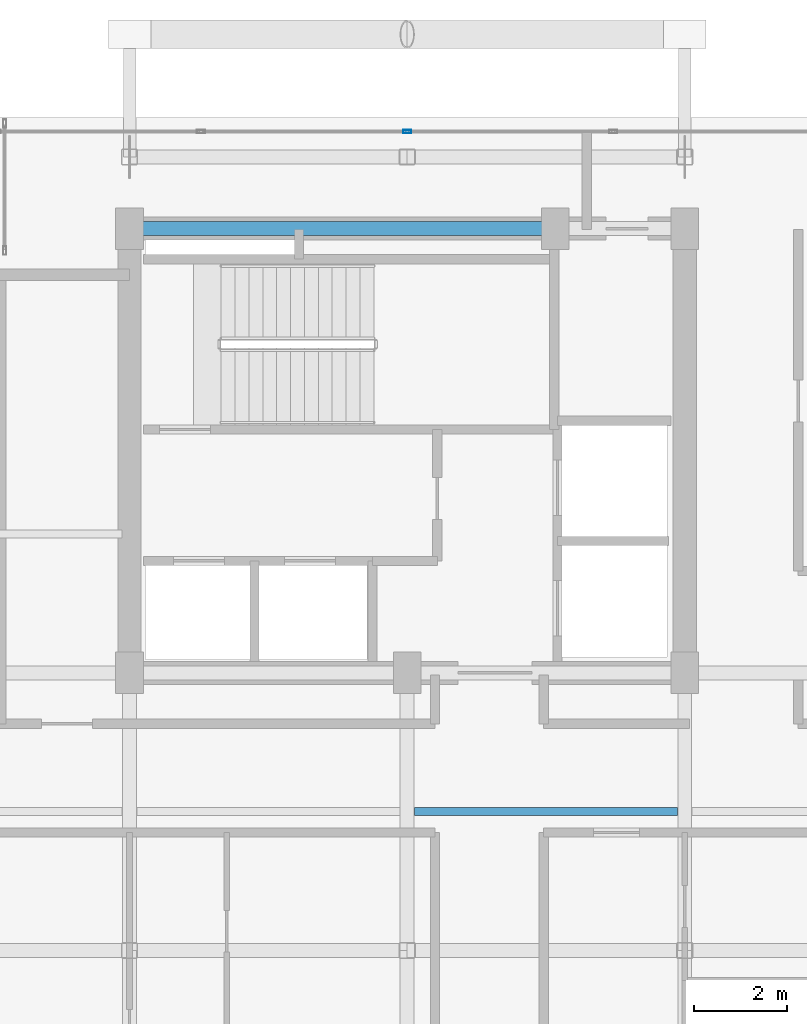
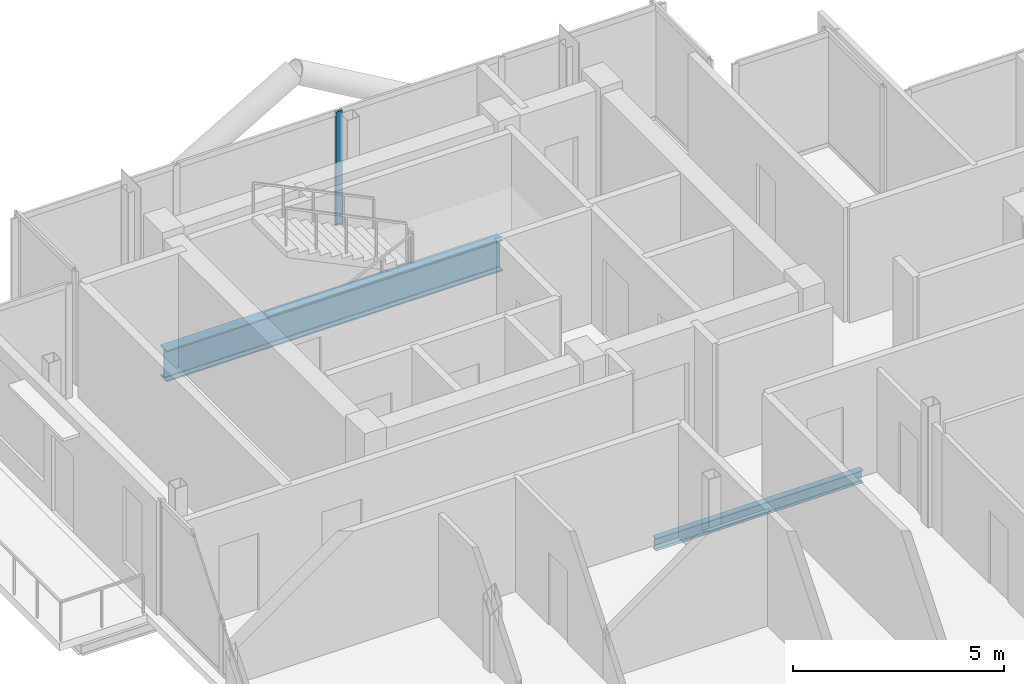
# One storey, part 9 of 19: 2 beams, 1 member, 1 element without a shape of its own.
"""IFC4 building model written with IfcOpenShell, lengths in metres."""

import ifcopenshell
import ifcopenshell.guid

model = None  # the IFC model being written
_history = None  # IfcOwnerHistory: only IFC2X3 demands one
_inside = {}  # id of a spatial element -> (the spatial element, [elements in it])
_under = {}  # id of a project, library or spatial element -> (it, [spatial elements below it])
_declared = {}  # id of a project -> (the project, [libraries it declares])
_typed = {}  # id of a type object -> (the type object, [elements of that type])
_made_of = {}  # id of a material, layer set ... -> (it, [elements and type objects made of it])


def new_model(schema):
    """Start an empty IFC model of exactly this schema.

    Asked for "IFC4X3", IfcOpenShell would pick the latest addendum, in which some entities
    have other attributes; the version numbers below select the first issue.
    IFC2X3 requires an IfcOwnerHistory on every rooted entity: one is made here for all.
    """
    global model, _history
    if schema == "IFC4X3":
        model = ifcopenshell.file(schema_version=(4, 3, 0, 0))
    else:
        model = ifcopenshell.file(schema=schema)
    _inside.clear()
    _under.clear()
    _declared.clear()
    _typed.clear()
    _made_of.clear()
    _history = None
    if model.schema == "IFC2X3":
        org = make("IfcOrganization", Name="unknown")
        user = make(
            "IfcPersonAndOrganization",
            ThePerson=make("IfcPerson", FamilyName="unknown"),
            TheOrganization=org,
        )
        app = make(
            "IfcApplication",
            ApplicationDeveloper=org,
            Version="unknown",
            ApplicationFullName="unknown",
            ApplicationIdentifier="unknown",
        )
        _history = make(
            "IfcOwnerHistory",
            OwningUser=user,
            OwningApplication=app,
            ChangeAction="ADDED",
            CreationDate=0,
        )
    return model


def make(cls, **values):
    """One entity of the class cls with the attributes given. An attribute that is None is left unset."""
    return model.create_entity(
        cls, **{name: value for name, value in values.items() if value is not None}
    )


def rooted(cls, **values):
    """An entity with a GlobalId (a new one), such as an element, a storey or a relation."""
    return make(cls, GlobalId=ifcopenshell.guid.new(), OwnerHistory=_history, **values)


def si_unit(unit_type, name, prefix=None):
    """IfcSIUnit, for example si_unit("LENGTHUNIT", "METRE", prefix="MILLI")."""
    return make("IfcSIUnit", UnitType=unit_type, Prefix=prefix, Name=name)


def assignment(units):
    """IfcUnitAssignment: the units of a project."""
    return None if units is None else make("IfcUnitAssignment", Units=units)


def point(xyz):
    """IfcCartesianPoint."""
    return None if xyz is None else make("IfcCartesianPoint", Coordinates=xyz)


def direction(xyz):
    """IfcDirection."""
    return None if xyz is None else make("IfcDirection", DirectionRatios=xyz)


def frame(location, z_axis=None, x_axis=None):
    """IfcAxis2Placement3D, a coordinate frame: its origin and axes. An axis left out is left unset."""
    return make(
        "IfcAxis2Placement3D",
        Location=point(location),
        Axis=direction(z_axis),
        RefDirection=direction(x_axis),
    )


def frame_2d(location, x_axis=None):
    """IfcAxis2Placement2D, a coordinate frame in the plane: its origin and x axis."""
    return make(
        "IfcAxis2Placement2D", Location=point(location), RefDirection=direction(x_axis)
    )


def origin():
    """The frame at (0, 0, 0) with its axes left unset."""
    return frame((0.0, 0.0, 0.0))


def origin_2d():
    """The frame at (0, 0) in the plane with its x axis left unset."""
    return frame_2d((0.0, 0.0))


def place(relative_to, where):
    """IfcLocalPlacement: puts the frame where relative to a parent placement (None: the world)."""
    return make(
        "IfcLocalPlacement", PlacementRelTo=relative_to, RelativePlacement=where
    )


def context(
    kind, dimensions, precision=None, world=None, true_north=None, identifier=None
):
    """IfcGeometricRepresentationContext, for example the 3D "Model" context."""
    return make(
        "IfcGeometricRepresentationContext",
        ContextIdentifier=identifier,
        ContextType=kind,
        CoordinateSpaceDimension=dimensions,
        Precision=precision,
        WorldCoordinateSystem=world,
        TrueNorth=true_north,
    )


def subcontext(parent, identifier, kind, view, scale=None):
    """IfcGeometricRepresentationSubContext, for example "Body" below "Model"."""
    return make(
        "IfcGeometricRepresentationSubContext",
        ContextIdentifier=identifier,
        ContextType=kind,
        ParentContext=parent,
        TargetScale=scale,
        TargetView=view,
    )


def project(units=None, contexts=None):
    """IfcProject with its units and contexts."""
    return rooted(
        "IfcProject",
        Name="project",
        RepresentationContexts=contexts,
        UnitsInContext=assignment(units),
    )


def spatial(cls, under=None, at=None, **own):
    """A site, building, storey or space (cls), placed at a placement, below another one or the project."""
    s = rooted(cls, ObjectPlacement=at, **own)
    if under is not None:
        _under.setdefault(under.id(), (under, []))[1].append(s)
    return s


def profile(cls, at=None, kind="AREA", **sizes):
    """A parametric profile (cls). Its sizes go by their IFC names, for example OverallWidth=200.0."""
    return make(cls, ProfileType=kind, Position=at, **sizes)


def hollow_rectangle(**sizes):
    """IfcRectangleHollowProfileDef."""
    return profile("IfcRectangleHollowProfileDef", **sizes)


def i_section(**sizes):
    """IfcIShapeProfileDef."""
    return profile("IfcIShapeProfileDef", **sizes)


def extrude(swept, where, along, depth):
    """IfcExtrudedAreaSolid: the profile swept, set in the frame where, extruded along a direction by depth."""
    return make(
        "IfcExtrudedAreaSolid",
        SweptArea=swept,
        Position=where,
        ExtrudedDirection=direction(along),
        Depth=depth,
    )


def shape(context_of_items, identifier, shape_type, items):
    """IfcShapeRepresentation: the items that make up one representation, for example the "Body"."""
    return make(
        "IfcShapeRepresentation",
        ContextOfItems=context_of_items,
        RepresentationIdentifier=identifier,
        RepresentationType=shape_type,
        Items=items,
    )


def material(Name=None, Category=None):
    """IfcMaterial."""
    return make("IfcMaterial", Name=Name, Category=Category)


def layer(
    of_material, thickness, ventilated=None, Name=None, Category=None, Priority=None
):
    """IfcMaterialLayer: one layer of a wall or slab, of a material (None: an air gap)."""
    return make(
        "IfcMaterialLayer",
        Material=of_material,
        LayerThickness=thickness,
        IsVentilated=ventilated,
        Name=Name,
        Category=Category,
        Priority=Priority,
    )


def layer_set(layers, Name=None):
    """IfcMaterialLayerSet."""
    return make("IfcMaterialLayerSet", MaterialLayers=layers, LayerSetName=Name)


def material_profile(
    of_material, cross_section, Name=None, Category=None, Priority=None
):
    """IfcMaterialProfile: a cross section and its material."""
    return make(
        "IfcMaterialProfile",
        Name=Name,
        Material=of_material,
        Profile=cross_section,
        Priority=Priority,
        Category=Category,
    )


def profile_set(profiles, Name=None, composite=None):
    """IfcMaterialProfileSet."""
    return make(
        "IfcMaterialProfileSet",
        Name=Name,
        MaterialProfiles=profiles,
        CompositeProfile=composite,
    )


def made_of(thing, what):
    """Note that an element or type object is made of a material, layer set ...; save() writes the relation."""
    if what is not None:
        _made_of.setdefault(what.id(), (what, []))[1].append(thing)
    return thing


def type_object(cls, material=None, **own):
    """A type object (cls), such as IfcWallType, which elements share."""
    return made_of(rooted(cls, **own), material)


def element(
    cls,
    number,
    at=None,
    inside=None,
    cuts=None,
    type_object=None,
    material=None,
    context=None,
    identifier="Body",
    shape_type=None,
    held_by="IfcProductDefinitionShape",
    body=None,
    shapes=None,
    **own,
):
    """One element of the class cls, such as IfcWall. Its Tag is "e" and its number.

    at: its placement. inside: the storey or other place that contains it. cuts: it is an
    opening in that element (IfcRelVoidsElement). A single representation is given by context,
    identifier, shape_type and body (its items); several are given by shapes. held_by: the class
    of the entity that holds the representations. save() writes the other relations.
    """
    e = rooted(cls, Tag="e%d" % number, ObjectPlacement=at, **own)
    if body is not None:
        shapes = [shape(context, identifier, shape_type, body)]
    if shapes is not None:
        e.Representation = make(held_by, Representations=shapes)
    if inside is not None:
        _inside.setdefault(inside.id(), (inside, []))[1].append(e)
    if cuts is not None:
        rooted(
            "IfcRelVoidsElement", RelatingBuildingElement=cuts, RelatedOpeningElement=e
        )
    if type_object is not None:
        _typed.setdefault(type_object.id(), (type_object, []))[1].append(e)
    return made_of(e, material)


def aggregate(whole, parts):
    """IfcRelAggregates: a whole, such as a stair, and the parts it consists of."""
    return rooted("IfcRelAggregates", RelatingObject=whole, RelatedObjects=parts)


def save(model, path):
    """Write the relations noted so far, then the file.

    IfcRelAggregates (storeys below a building ...), IfcRelContainedInSpatialStructure (elements
    in a storey), IfcRelDefinesByType, IfcRelAssociatesMaterial and IfcRelDeclares: one each for
    every whole, place, type object, material and project.
    """
    for whole, parts in _under.values():
        aggregate(whole, parts)
    for where, things in _inside.values():
        rooted(
            "IfcRelContainedInSpatialStructure",
            RelatedElements=things,
            RelatingStructure=where,
        )
    for kind, things in _typed.values():
        rooted("IfcRelDefinesByType", RelatedObjects=things, RelatingType=kind)
    for what, things in _made_of.values():
        rooted("IfcRelAssociatesMaterial", RelatedObjects=things, RelatingMaterial=what)
    for by, libraries in _declared.values():
        rooted("IfcRelDeclares", RelatingContext=by, RelatedDefinitions=libraries)
    model.write(path)


model = new_model("IFC4")

# Units and contexts
model_context = context("Model", 3, precision=1e-05, world=origin(), true_north=direction((0.0, 1.0)))
body_context = subcontext(model_context, "Body", "Model", "MODEL_VIEW")
ifc_project = project(units=[si_unit("LENGTHUNIT", "METRE"), si_unit("AREAUNIT", "SQUARE_METRE"), si_unit("VOLUMEUNIT", "CUBIC_METRE"), si_unit("PLANEANGLEUNIT", "RADIAN"), si_unit("MASSUNIT", "GRAM", prefix="KILO"), si_unit("THERMODYNAMICTEMPERATUREUNIT", "KELVIN"), si_unit("POWERUNIT", "WATT")], contexts=[model_context])

# Site, building, storey
site_placement = place(None, origin())
site = spatial("IfcSite", under=ifc_project, at=site_placement, CompositionType="ELEMENT")
building_placement = place(site_placement, origin())
building = spatial("IfcBuilding", under=site, at=building_placement, Name="Svarakhadi Broadcast Tower", CompositionType="ELEMENT")
storey_placement = place(building_placement, frame((0.0, 0.0, 243.199951171875)))
storey = spatial("IfcBuildingStorey", under=building, at=storey_placement, Name="L60", CompositionType="ELEMENT", Elevation=243.199951171875)

# Beam
ifc_material_1 = material(Name="Steel S355J2 (IS 2062 E350C)", Category="steel")
ifc_material_profile_1 = material_profile(ifc_material_1, i_section(OverallWidth=0.169921875, OverallDepth=0.360107421875, WebThickness=0.008056640625, FlangeThickness=0.0126953125, FilletRadius=0.01806640625, at=origin_2d()), Name="NPB 360x170x57")
ifc_profile_set_1 = profile_set([ifc_material_profile_1], Name="Steel S355J2 (IS 2062 E350C)")
beam_type_1 = type_object("IfcBeamType", Name="Beam_NPB360", PredefinedType="BEAM", material=ifc_profile_set_1)
beam_1_placement = place(storey_placement, frame((12.159912109375, 15.0, -0.3798828125), z_axis=(1.0, 0.0, 0.0), x_axis=(0.0, 1.0, 0.0)))
element("IfcBeam", 1, at=beam_1_placement, inside=storey, type_object=beam_type_1, Name="L60 Secondary Composite Beam SB009", PredefinedType="BEAM", context=body_context, shape_type="SweptSolid", body=[
    extrude(i_section(OverallWidth=0.169921875, OverallDepth=0.360107421875, WebThickness=0.008056640625, FlangeThickness=0.0126953125, FilletRadius=0.01806640625, at=origin_2d()), origin(), (0.0, 0.0, 1.0), 5.68017578125),
])

# Curtain wall, member
ifc_material_2 = material(Name="Anodised Bronze Aluminium AA 6063-T6", Category="aluminium")
ifc_layer = layer(ifc_material_2, 0.179931640625)
ifc_layer_set = layer_set([ifc_layer], Name="Anodised Bronze Aluminium AA 6063-T6")
curtain_wall_type = type_object("IfcCurtainWallType", Name="CW_Sys_05", PredefinedType="NOTDEFINED", material=ifc_layer_set)
curtain_wall_placement = place(storey_placement, origin())
curtain_wall = element("IfcCurtainWall", 2, at=curtain_wall_placement, inside=storey, type_object=curtain_wall_type, Name="L60 Unitised Facade Curtain Wall 05", PredefinedType="NOTDEFINED")
ifc_material_profile_2 = material_profile(ifc_material_2, hollow_rectangle(XDim=0.070068359375, YDim=0.179931640625, WallThickness=0.005615234375, at=origin_2d()), Name="ALU MULLION 180x70x6")
ifc_profile_set_2 = profile_set([ifc_material_profile_2], Name="Anodised Bronze Aluminium AA 6063-T6")
member_type = type_object("IfcMemberType", Name="CW_Sys_05_Mul", PredefinedType="MULLION", material=ifc_profile_set_2)
member_placement = place(storey_placement, frame((12.0, 29.699951171875, 0.0), z_axis=(0.0, 0.0, 1.0), x_axis=(0.0, 1.0, 0.0)))
member = element("IfcMember", 3, at=member_placement, type_object=member_type, Name="CW-05 mullion 3", PredefinedType="MULLION", context=body_context, shape_type="SweptSolid", body=[
    extrude(hollow_rectangle(XDim=0.070068359375, YDim=0.179931640625, WallThickness=0.005615234375, at=origin_2d()), origin(), (0.0, 0.0, 1.0), 3.300048828125),
])
aggregate(curtain_wall, [member])

# Beam
ifc_material_3 = material(Name="Steel S460ML (IS 2062 E450BR)", Category="steel")
ifc_material_profile_3 = material_profile(ifc_material_3, i_section(OverallWidth=0.300048828125, OverallDepth=0.89990234375, WebThickness=0.0185546875, FlangeThickness=0.034912109375, FilletRadius=0.030029296875, at=origin_2d()), Name="WPB 900x300x291")
ifc_profile_set_3 = profile_set([ifc_material_profile_3], Name="Steel S460ML (IS 2062 E450BR)")
beam_type_2 = type_object("IfcBeamType", Name="Girder_WPB900", PredefinedType="USERDEFINED", material=ifc_profile_set_3)
beam_2_placement = place(storey_placement, frame((6.0, 27.60009765625, -0.64990234375), z_axis=(1.0, 0.0, 0.0), x_axis=(0.0, 1.0, 0.0)))
element("IfcBeam", 4, at=beam_2_placement, inside=storey, type_object=beam_type_2, Name="L60 Primary E-W Girder G022", ObjectType="GIRDER", PredefinedType="USERDEFINED", context=body_context, shape_type="SweptSolid", body=[
    extrude(i_section(OverallWidth=0.300048828125, OverallDepth=0.89990234375, WebThickness=0.0185546875, FlangeThickness=0.034912109375, FilletRadius=0.030029296875, at=origin_2d()), origin(), (0.0, 0.0, 1.0), 9.199951171875),
])

save(model, "model.ifc")
